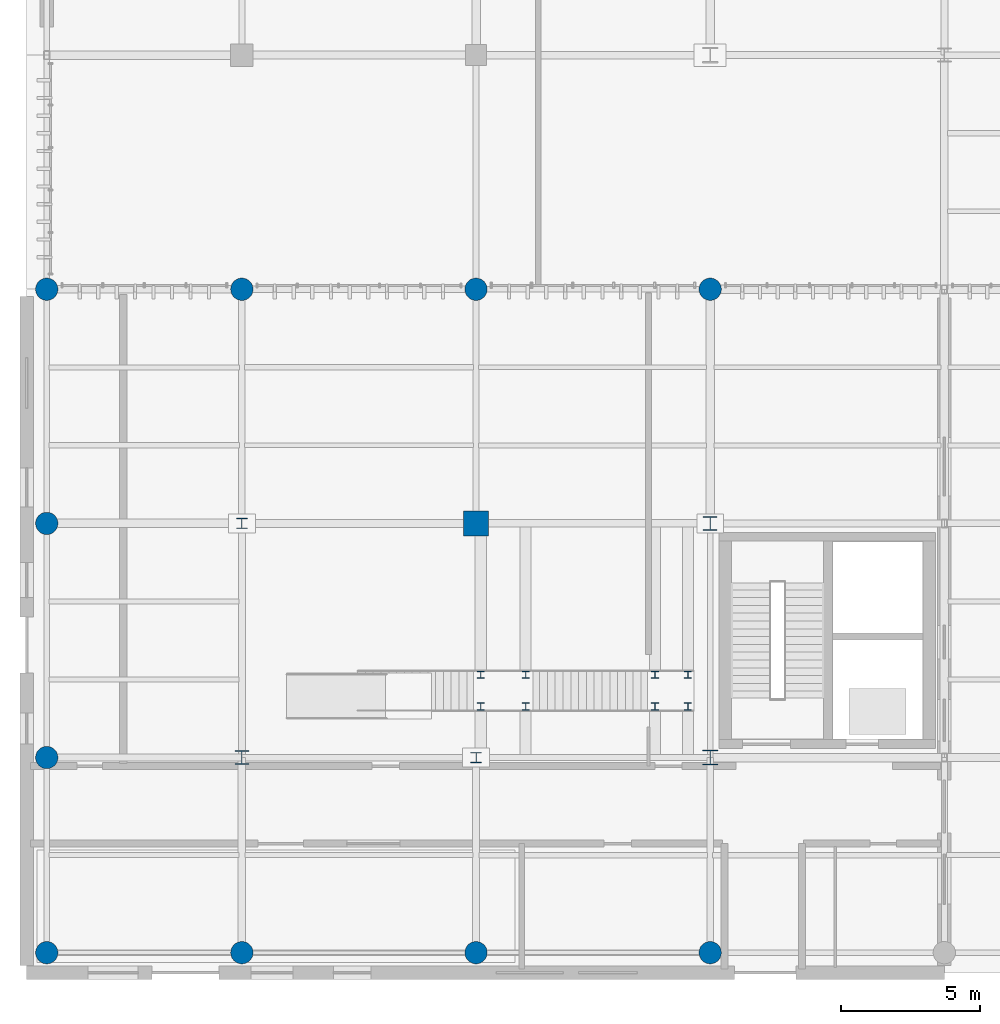
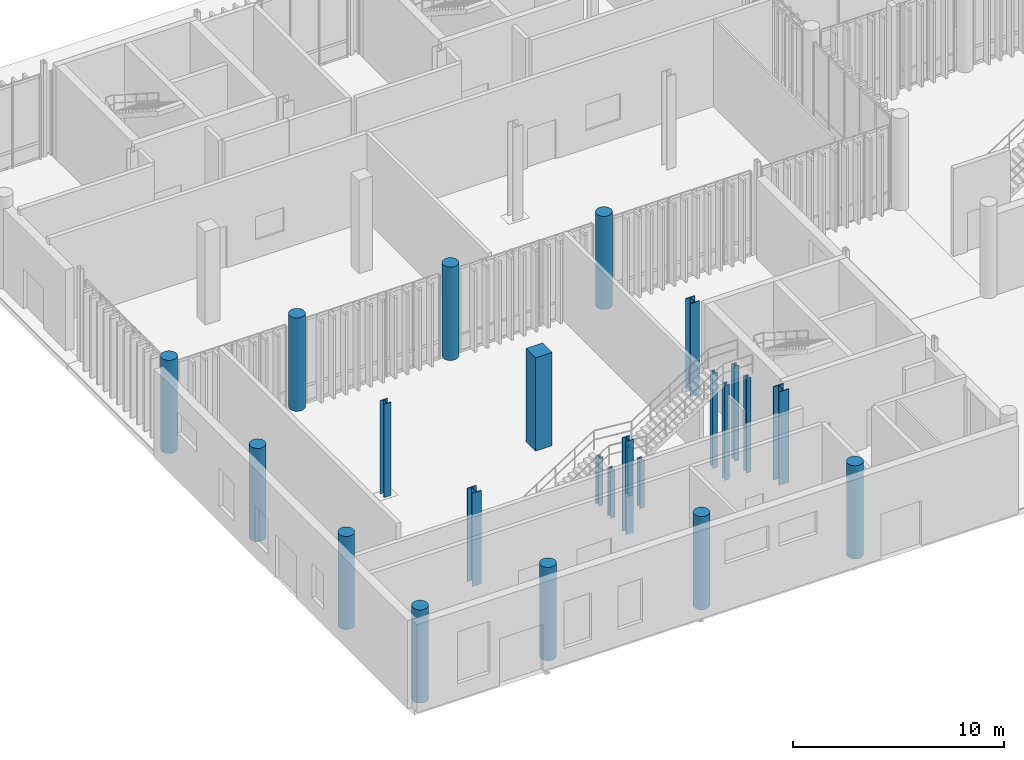
# One storey, part 1 of 112: 24 columns.
"""IFC4 building model written with IfcOpenShell, lengths in metres."""

from ifc_helpers import new_model, si_unit, direction, frame, origin_with_axes, origin_2d_with_axis, place, context, subcontext, project, spatial, rectangle, circle, i_section, extrude, material, material_profile, profile_set, type_object, element, save


model = new_model("IFC4")

# Units and contexts
model_context = context("Model", 3, precision=1e-05, world=origin_with_axes(), true_north=direction((0.0, 1.0)))
body_context = subcontext(model_context, "Body", "Model", "MODEL_VIEW")
ifc_project = project(units=[si_unit("LENGTHUNIT", "METRE"), si_unit("AREAUNIT", "SQUARE_METRE"), si_unit("VOLUMEUNIT", "CUBIC_METRE"), si_unit("PLANEANGLEUNIT", "RADIAN"), si_unit("MASSUNIT", "GRAM", prefix="KILO"), si_unit("THERMODYNAMICTEMPERATUREUNIT", "KELVIN")], contexts=[model_context])

# Site, building, storey
site_placement = place(None, origin_with_axes())
site = spatial("IfcSite", under=ifc_project, at=site_placement, CompositionType="ELEMENT")
building_placement = place(site_placement, origin_with_axes())
building = spatial("IfcBuilding", under=site, at=building_placement, Name="Montbau Bow Law Courts", CompositionType="ELEMENT")
storey_placement = place(building_placement, origin_with_axes())
storey = spatial("IfcBuildingStorey", under=building, at=storey_placement, Name="L00", CompositionType="ELEMENT", Elevation=0.0)

# Columns
ifc_material_1 = material(Name="Concrete CSA A23.1 f'c 45 MPa", Category="concrete")
ifc_material_profile_1 = material_profile(ifc_material_1, rectangle(XDim=0.9, YDim=0.9, at=origin_2d_with_axis()), Name="RC900X900", Category="Main", Priority=0)
ifc_profile_set_1 = profile_set([ifc_material_profile_1], Name="Concrete CSA A23.1 f'c 45 MPa")
column_type_1 = type_object("IfcColumnType", Name="C-RC-01", PredefinedType="COLUMN", material=ifc_profile_set_1)
column_1_placement = place(None, frame((22.2, 22.2, 0.0), z_axis=(0.0, 0.0, 1.0), x_axis=(1.0, 0.0, 0.0)))
element("IfcColumn", 1, at=column_1_placement, inside=storey, type_object=column_type_1, Name="C-L00-S0201:col2_0201", PredefinedType="COLUMN", context=body_context, shape_type="SweptSolid", body=[
    extrude(rectangle(XDim=0.9, YDim=0.9, at=origin_2d_with_axis()), origin_with_axes(), (0.0, 0.0, 1.0), 5.4),
])
ifc_material_2 = material(Name="Concrete CSA A23.1 f'c 40 MPa", Category="concrete")
ifc_material_profile_2 = material_profile(ifc_material_2, circle(Radius=0.4, at=origin_2d_with_axis()), Name="RC800D", Category="Main", Priority=0)
ifc_profile_set_2 = profile_set([ifc_material_profile_2], Name="Concrete CSA A23.1 f'c 40 MPa")
column_type_2 = type_object("IfcColumnType", Name="C-RC-07", PredefinedType="COLUMN", material=ifc_profile_set_2)
for number, where, z_axis, x_axis, name in (
    (2, (6.8, 6.8, 0.0), (0.0, 0.0, 1.0), (1.0, 0.0, 0.0), "C-L00-S0185:col2_0185"),
    (3, (6.8, 13.8, 0.0), (0.0, 0.0, 1.0), (1.0, 0.0, 0.0), "C-L00-S0186:col2_0186"),
    (4, (6.8, 22.2, 0.0), (0.0, 0.0, 1.0), (1.0, 0.0, 0.0), "C-L00-S0187:col2_0187"),
    (5, (6.8, 30.6, 0.0), (0.0, 0.0, 1.0), (1.0, 0.0, 0.0), "C-L00-S0188:col2_0188"),
    (6, (13.8, 6.8, 0.0), (0.0, 0.0, 1.0), (1.0, 0.0, 0.0), "C-L00-S0192:col2_0192"),
    (7, (13.8, 30.6, 0.0), (0.0, 0.0, 1.0), (1.0, 0.0, 0.0), "C-L00-S0195:col2_0195"),
    (8, (22.2, 6.8, 0.0), (0.0, 0.0, 1.0), (1.0, 0.0, 0.0), "C-L00-S0199:col2_0199"),
    (9, (22.2, 30.6, 0.0), (0.0, 0.0, 1.0), (1.0, 0.0, 0.0), "C-L00-S0202:col2_0202"),
    (10, (30.6, 6.8, 0.0), (0.0, 0.0, 1.0), (1.0, 0.0, 0.0), "C-L00-S0206:col2_0206"),
    (11, (30.6, 30.6, 0.0), (0.0, 0.0, 1.0), (1.0, 0.0, 0.0), "C-L00-S0209:col2_0209"),
):
    element("IfcColumn", number, at=place(None, frame(where, z_axis=z_axis, x_axis=x_axis)), inside=storey, type_object=column_type_2, Name=name, PredefinedType="COLUMN", context=body_context, shape_type="SweptSolid", body=[
        extrude(circle(Radius=0.4, at=origin_2d_with_axis()), origin_with_axes(), (0.0, 0.0, 1.0), 5.4),
    ])
ifc_material_3 = material(Name="Steel CSA G40.21 Grade 350W (350 MPa)", Category="steel")
ifc_material_profile_3 = material_profile(ifc_material_3, i_section(OverallWidth=0.55, OverallDepth=0.55, WebThickness=0.025, FlangeThickness=0.042, at=origin_2d_with_axis()), Name="WWF550X420", Category="Main", Priority=0)
ifc_profile_set_3 = profile_set([ifc_material_profile_3], Name="Steel CSA G40.21 Grade 350W (350 MPa)")
column_type_3 = type_object("IfcColumnType", Name="C-STL-01", PredefinedType="COLUMN", material=ifc_profile_set_3)
column_2_placement = place(None, frame((30.6, 13.8, 0.0), z_axis=(0.0, 0.0, 1.0), x_axis=(1.0, 0.0, 0.0)))
element("IfcColumn", 12, at=column_2_placement, inside=storey, type_object=column_type_3, Name="C-L00-S0207:col2_0207", PredefinedType="COLUMN", context=body_context, shape_type="SweptSolid", body=[
    extrude(i_section(OverallWidth=0.55, OverallDepth=0.55, WebThickness=0.025, FlangeThickness=0.042, at=origin_2d_with_axis()), origin_with_axes(), (0.0, 0.0, 1.0), 5.4),
])
ifc_material_profile_4 = material_profile(ifc_material_3, i_section(OverallWidth=0.5, OverallDepth=0.5, WebThickness=0.022, FlangeThickness=0.036, at=origin_2d_with_axis()), Name="WWF500X343", Category="Main", Priority=0)
ifc_profile_set_4 = profile_set([ifc_material_profile_4], Name="Steel CSA G40.21 Grade 350W (350 MPa)")
column_type_4 = type_object("IfcColumnType", Name="C-STL-02", PredefinedType="COLUMN", material=ifc_profile_set_4)
for number, where, z_axis, x_axis, name in (
    (13, (13.8, 13.8, 0.0), (0.0, 0.0, 1.0), (1.0, 0.0, 0.0), "C-L00-S0193:col2_0193"),
    (14, (30.6, 22.2, 0.0), (0.0, 0.0, 1.0), (1.0, 0.0, 0.0), "C-L00-S0208:col2_0208"),
):
    element("IfcColumn", number, at=place(None, frame(where, z_axis=z_axis, x_axis=x_axis)), inside=storey, type_object=column_type_4, Name=name, PredefinedType="COLUMN", context=body_context, shape_type="SweptSolid", body=[
        extrude(i_section(OverallWidth=0.5, OverallDepth=0.5, WebThickness=0.022, FlangeThickness=0.036, at=origin_2d_with_axis()), origin_with_axes(), (0.0, 0.0, 1.0), 5.4),
    ])
ifc_material_profile_5 = material_profile(ifc_material_3, i_section(OverallWidth=0.395, OverallDepth=0.38, WebThickness=0.0189, FlangeThickness=0.0302, at=origin_2d_with_axis()), Name="W360X237", Category="Main", Priority=0)
ifc_profile_set_5 = profile_set([ifc_material_profile_5], Name="Steel CSA G40.21 Grade 350W (350 MPa)")
column_type_5 = type_object("IfcColumnType", Name="C-STL-03", PredefinedType="COLUMN", material=ifc_profile_set_5)
for number, where, z_axis, x_axis, name in (
    (15, (13.8, 22.2, 0.0), (0.0, 0.0, 1.0), (1.0, 0.0, 0.0), "C-L00-S0194:col2_0194"),
    (16, (22.2, 13.8, 0.0), (0.0, 0.0, 1.0), (1.0, 0.0, 0.0), "C-L00-S0200:col2_0200"),
):
    element("IfcColumn", number, at=place(None, frame(where, z_axis=z_axis, x_axis=x_axis)), inside=storey, type_object=column_type_5, Name=name, PredefinedType="COLUMN", context=body_context, shape_type="SweptSolid", body=[
        extrude(i_section(OverallWidth=0.395, OverallDepth=0.38, WebThickness=0.0189, FlangeThickness=0.0302, at=origin_2d_with_axis()), origin_with_axes(), (0.0, 0.0, 1.0), 5.4),
    ])
ifc_material_profile_6 = material_profile(ifc_material_3, i_section(OverallWidth=0.256, OverallDepth=0.26, WebThickness=0.0107, FlangeThickness=0.0173, at=origin_2d_with_axis()), Name="W250X89", Category="Main", Priority=0)
ifc_profile_set_6 = profile_set([ifc_material_profile_6], Name="Steel CSA G40.21 Grade 350W (350 MPa)")
column_type_6 = type_object("IfcColumnType", Name="C-STL-08", PredefinedType="COLUMN", material=ifc_profile_set_6)
for number, where, z_axis, x_axis, name in (
    (17, (22.37, 15.63, -0.28), (0.0, 0.0, 1.0), (1.0, 0.0, 0.0), "C-ST-L00-17:col2_1136"),
    (18, (22.37, 16.77, -0.28), (0.0, 0.0, 1.0), (1.0, 0.0, 0.0), "C-ST-L00-18:col2_1137"),
    (19, (23.98, 15.63, -0.28), (0.0, 0.0, 1.0), (1.0, 0.0, 0.0), "C-ST-L00-19:col2_1138"),
    (20, (23.98, 16.77, -0.28), (0.0, 0.0, 1.0), (1.0, 0.0, 0.0), "C-ST-L00-20:col2_1139"),
):
    element("IfcColumn", number, at=place(None, frame(where, z_axis=z_axis, x_axis=x_axis)), inside=storey, type_object=column_type_6, Name=name, PredefinedType="COLUMN", context=body_context, shape_type="SweptSolid", body=[
        extrude(i_section(OverallWidth=0.256, OverallDepth=0.26, WebThickness=0.0107, FlangeThickness=0.0173, at=origin_2d_with_axis()), origin_with_axes(), (0.0, 0.0, 1.0), 2.8),
    ])
for number, where, z_axis, x_axis, name in (
    (21, (28.62, 15.63, -0.28), (0.0, 0.0, 1.0), (1.0, 0.0, 0.0), "C-ST-L00-21:col2_1140"),
    (22, (28.62, 16.77, -0.28), (0.0, 0.0, 1.0), (1.0, 0.0, 0.0), "C-ST-L00-22:col2_1141"),
    (23, (29.8, 15.63, -0.28), (0.0, 0.0, 1.0), (1.0, 0.0, 0.0), "C-ST-L00-23:col2_1142"),
    (24, (29.8, 16.77, -0.28), (0.0, 0.0, 1.0), (1.0, 0.0, 0.0), "C-ST-L00-24:col2_1143"),
):
    element("IfcColumn", number, at=place(None, frame(where, z_axis=z_axis, x_axis=x_axis)), inside=storey, type_object=column_type_6, Name=name, PredefinedType="COLUMN", context=body_context, shape_type="SweptSolid", body=[
        extrude(i_section(OverallWidth=0.256, OverallDepth=0.26, WebThickness=0.0107, FlangeThickness=0.0173, at=origin_2d_with_axis()), origin_with_axes(), (0.0, 0.0, 1.0), 5.5),
    ])

save(model, "model.ifc")
